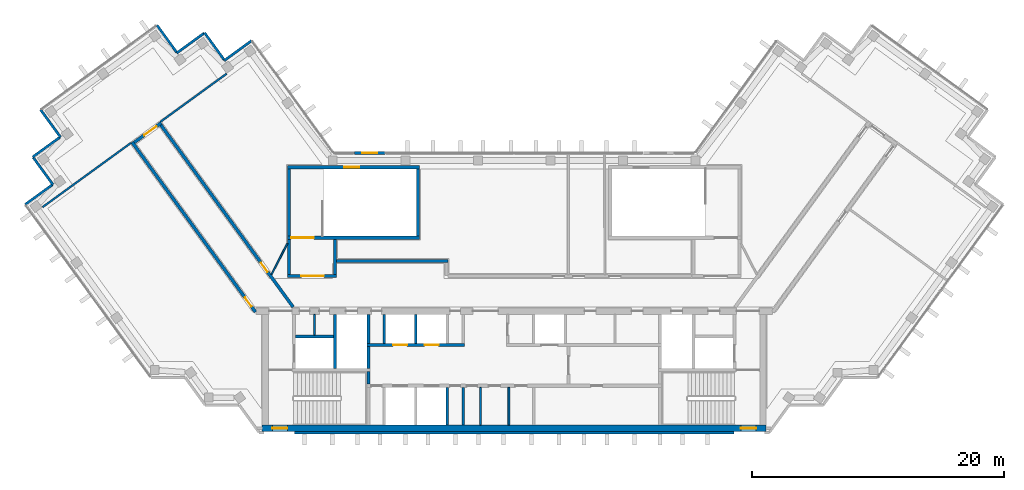
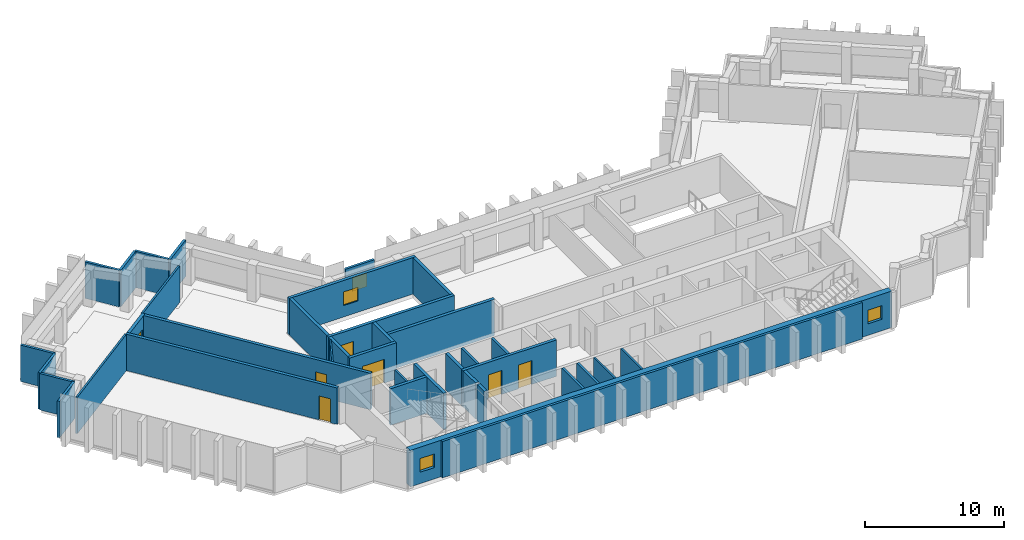
# One storey, part 4 of 8: 38 walls, 7 doors, 4 windows, 11 openings.
"""IFC4 building model written with IfcOpenShell, lengths in metres."""

from ifc_helpers import new_model, si_unit, direction, frame, frame_2d, origin, place, context, subcontext, project, spatial, rectangle, extrude, material, layer, layer_set, type_object, element, fill, save


model = new_model("IFC4")

# Units and contexts
model_context = context("Model", 3, precision=1e-05, world=origin(), true_north=direction((0.0, 1.0)))
body_context = subcontext(model_context, "Body", "Model", "MODEL_VIEW")
ifc_project = project(units=[si_unit("LENGTHUNIT", "METRE"), si_unit("AREAUNIT", "SQUARE_METRE"), si_unit("VOLUMEUNIT", "CUBIC_METRE"), si_unit("PLANEANGLEUNIT", "RADIAN"), si_unit("MASSUNIT", "GRAM", prefix="KILO")], contexts=[model_context])

# Site, building, storey
site_placement = place(None, origin())
site = spatial("IfcSite", under=ifc_project, at=site_placement, CompositionType="ELEMENT")
building_placement = place(site_placement, origin())
building = spatial("IfcBuilding", under=site, at=building_placement, Name="Quipu Civic Tower", CompositionType="ELEMENT")
storey_placement = place(building_placement, frame((0.0, 0.0, 351.0)))
storey = spatial("IfcBuildingStorey", under=building, at=storey_placement, Name="L82", CompositionType="ELEMENT", Elevation=351.0)

# Walls
ifc_material_1 = material(Name="Double gypsum plasterboard with mineral wool")
ifc_layer_1 = layer(ifc_material_1, 0.14990234375)
ifc_layer_set_1 = layer_set([ifc_layer_1], Name="Double gypsum plasterboard with mineral wool")
wall_type_1 = type_object("IfcWallType", Name="Acoustic partition 150 plasterboard", PredefinedType="PARTITIONING", material=ifc_layer_set_1)
wall_1_placement = place(storey_placement, frame((-22.818359375, 17.39599609375, 0.0), z_axis=(0.0, 0.0, 1.0), x_axis=(-0.809000932727, -0.587807358619, 0.0)))
element("IfcWall", 1, at=wall_1_placement, inside=storey, type_object=wall_type_1, Name="Partition P04", PredefinedType="PARTITIONING", context=body_context, shape_type="SweptSolid", body=[
    extrude(rectangle(XDim=6.49560546875, YDim=0.14990234375, at=frame_2d((3.247802734375, 0.0))), origin(), (0.0, 0.0, 1.0), 3.199951171875),
])
wall_2_placement = place(storey_placement, frame((-37.42919921875, 6.805419921875, 0.0), z_axis=(0.0, 0.0, 1.0), x_axis=(0.809020922653, 0.587779845444, 0.0)))
element("IfcWall", 2, at=wall_2_placement, inside=storey, type_object=wall_type_1, Name="Partition P05", PredefinedType="PARTITIONING", context=body_context, shape_type="SweptSolid", body=[
    extrude(rectangle(XDim=8.670166015625, YDim=0.14990234375, at=frame_2d((4.3349609375, 0.0))), origin(), (0.0, 0.0, 1.0), 3.199951171875),
])
ifc_material_2 = material(Name="Concrete C70/85", Category="concrete")
ifc_layer_2 = layer(ifc_material_2, 0.25)
ifc_layer_set_2 = layer_set([ifc_layer_2], Name="Concrete C70/85")
wall_type_2 = type_object("IfcWallType", Name="Core wall 250", PredefinedType="SHEAR", material=ifc_layer_set_2)
wall_3_placement = place(storey_placement, frame((-11.574951171875, -7.25, 0.0), z_axis=(0.0, 0.0, 1.0), x_axis=(0.0, 1.0, 0.0)))
element("IfcWall", 3, at=wall_3_placement, inside=storey, type_object=wall_type_2, Name="Core wall", PredefinedType="SHEAR", context=body_context, shape_type="SweptSolid", body=[
    extrude(rectangle(XDim=1.0, YDim=0.25, at=frame_2d((0.5, 0.0))), origin(), (0.0, 0.0, 1.0), 3.199951171875),
])
wall_4_placement = place(storey_placement, frame((-14.22509765625, -6.0, 0.0), z_axis=(0.0, 0.0, 1.0), x_axis=(0.0, 1.0, 0.0)))
element("IfcWall", 4, at=wall_4_placement, inside=storey, type_object=wall_type_2, Name="Core wall", PredefinedType="SHEAR", context=body_context, shape_type="SweptSolid", body=[
    extrude(rectangle(XDim=4.300048828125, YDim=0.25, at=frame_2d((2.14990234375, 0.0))), origin(), (0.0, 0.0, 1.0), 3.199951171875),
])
wall_5_placement = place(storey_placement, frame((-11.574951171875, -6.0, 0.0), z_axis=(0.0, 0.0, 1.0), x_axis=(0.0, 1.0, 0.0)))
element("IfcWall", 5, at=wall_5_placement, inside=storey, type_object=wall_type_2, Name="Core wall", PredefinedType="SHEAR", context=body_context, shape_type="SweptSolid", body=[
    extrude(rectangle(XDim=1.75, YDim=0.25, at=frame_2d((0.875, 0.0))), origin(), (0.0, 0.0, 1.0), 3.199951171875),
])

# Wall, openings, doors
wall_6_placement = place(storey_placement, frame((-11.699951171875, -4.125, 0.0), z_axis=(0.0, 0.0, 1.0), x_axis=(1.0, 0.0, 0.0)))
wall_6 = element("IfcWall", 6, at=wall_6_placement, inside=storey, type_object=wall_type_2, Name="Core wall", PredefinedType="SHEAR", context=body_context, shape_type="SweptSolid", body=[
    extrude(rectangle(XDim=7.75, YDim=0.25, at=frame_2d((3.875, 0.0))), origin(), (0.0, 0.0, 1.0), 3.199951171875),
])
opening_1_placement = place(wall_6_placement, frame((2.10009765625, 0.0, 0.0)))
opening_1 = element("IfcOpeningElement", 7, at=opening_1_placement, cuts=wall_6, Name="Opening LD-HL3", PredefinedType="OPENING", context=body_context, shape_type="SweptSolid", body=[
    extrude(rectangle(XDim=1.10009765625, YDim=2.10009765625, at=frame_2d((0.550048828125, 1.050048828125))), frame((0.0, 0.135009765625, 0.0), z_axis=(0.0, -1.0, 0.0), x_axis=(1.0, 0.0, 0.0)), (0.0, 0.0, 1.0), 0.27001953125),
])
opening_2_placement = place(wall_6_placement, frame((4.60009765625, 0.0, 0.0)))
opening_2 = element("IfcOpeningElement", 8, at=opening_2_placement, cuts=wall_6, Name="Opening LD-HL4", PredefinedType="OPENING", context=body_context, shape_type="SweptSolid", body=[
    extrude(rectangle(XDim=1.10009765625, YDim=2.10009765625, at=frame_2d((0.550048828125, 1.050048828125))), frame((0.0, 0.135009765625, 0.0), z_axis=(0.0, -1.0, 0.0), x_axis=(1.0, 0.0, 0.0)), (0.0, 0.0, 1.0), 0.27001953125),
])
ifc_material_3 = material(Name="Stainless steel", Category="steel")
door_type_1 = type_object("IfcDoorType", Name="Lift landing door 1100 x 2100", OperationType="DOUBLE_DOOR_SLIDING", PredefinedType="DOOR", material=ifc_material_3)
door_1_placement = place(opening_1_placement, origin())
door_1 = element("IfcDoor", 9, at=door_1_placement, inside=storey, type_object=door_type_1, Name="Landing door HL3", OperationType="DOUBLE_DOOR_SLIDING", OverallHeight=2.10009765625, OverallWidth=1.10009765625, PredefinedType="DOOR", context=body_context, shape_type="SweptSolid", body=[
    extrude(rectangle(XDim=1.10009765625, YDim=2.10009765625, at=frame_2d((0.550048828125, 1.050048828125))), frame((0.0, 0.02490234375, 0.0), z_axis=(0.0, -1.0, 0.0), x_axis=(1.0, 0.0, 0.0)), (0.0, 0.0, 1.0), 0.050048828125),
])
fill(opening_1, door_1)
door_2_placement = place(opening_2_placement, origin())
door_2 = element("IfcDoor", 10, at=door_2_placement, inside=storey, type_object=door_type_1, Name="Landing door HL4", OperationType="DOUBLE_DOOR_SLIDING", OverallHeight=2.10009765625, OverallWidth=1.10009765625, PredefinedType="DOOR", context=body_context, shape_type="SweptSolid", body=[
    extrude(rectangle(XDim=1.10009765625, YDim=2.10009765625, at=frame_2d((0.550048828125, 1.050048828125))), frame((0.0, 0.02490234375, 0.0), z_axis=(0.0, -1.0, 0.0), x_axis=(1.0, 0.0, 0.0)), (0.0, 0.0, 1.0), 0.050048828125),
])
fill(opening_2, door_2)

# Walls
wall_7_placement = place(storey_placement, frame((-11.574951171875, -4.0, 0.0), z_axis=(0.0, 0.0, 1.0), x_axis=(0.0, 1.0, 0.0)))
element("IfcWall", 11, at=wall_7_placement, inside=storey, type_object=wall_type_2, Name="Core wall", PredefinedType="SHEAR", context=body_context, shape_type="SweptSolid", body=[
    extrude(rectangle(XDim=2.300048828125, YDim=0.25, at=frame_2d((1.14990234375, 0.0))), origin(), (0.0, 0.0, 1.0), 3.199951171875),
])
wall_8_placement = place(storey_placement, frame((-17.35009765625, -3.47509765625, 0.0), z_axis=(0.0, 0.0, 1.0), x_axis=(1.0, 0.0, 0.0)))
element("IfcWall", 12, at=wall_8_placement, inside=storey, type_object=wall_type_2, Name="Core wall", PredefinedType="SHEAR", context=body_context, shape_type="SweptSolid", body=[
    extrude(rectangle(XDim=3.0, YDim=0.25, at=frame_2d((1.5, 0.0))), origin(), (0.0, 0.0, 1.0), 3.199951171875),
])

# Wall, opening, door
wall_9_placement = place(storey_placement, frame((-18.0, 1.324951171875, 0.0), z_axis=(0.0, 0.0, 1.0), x_axis=(1.0, 0.0, 0.0)))
wall_9 = element("IfcWall", 13, at=wall_9_placement, inside=storey, type_object=wall_type_2, Name="Core wall", PredefinedType="SHEAR", context=body_context, shape_type="SweptSolid", body=[
    extrude(rectangle(XDim=3.89990234375, YDim=0.25, at=frame_2d((1.949951171875, 0.0))), origin(), (0.0, 0.0, 1.0), 3.199951171875),
])
opening_3_placement = place(wall_9_placement, frame((1.10009765625, 0.0, 0.0)))
opening_3 = element("IfcOpeningElement", 14, at=opening_3_placement, cuts=wall_9, Name="Opening CD-23", PredefinedType="OPENING", context=body_context, shape_type="SweptSolid", body=[
    extrude(rectangle(XDim=1.800048828125, YDim=2.10009765625, at=frame_2d((0.89990234375, 1.050048828125))), frame((0.0, 0.135009765625, 0.0), z_axis=(0.0, -1.0, 0.0), x_axis=(1.0, 0.0, 0.0)), (0.0, 0.0, 1.0), 0.27001953125),
])
ifc_material_4 = material(Name="Fire rated steel door", Category="steel")
door_type_2 = type_object("IfcDoorType", Name="Fire door FD90 double 1800 x 2100", OperationType="NOTDEFINED", PredefinedType="DOOR", material=ifc_material_4)
door_3_placement = place(opening_3_placement, origin())
door_3 = element("IfcDoor", 15, at=door_3_placement, inside=storey, type_object=door_type_2, Name="Lobby door", OperationType="DOUBLE_DOOR_SINGLE_SWING", OverallHeight=2.10009765625, OverallWidth=1.800048828125, PredefinedType="DOOR", context=body_context, shape_type="SweptSolid", body=[
    extrude(rectangle(XDim=1.800048828125, YDim=2.10009765625, at=frame_2d((0.89990234375, 1.050048828125))), frame((0.0, 0.02490234375, 0.0), z_axis=(0.0, -1.0, 0.0), x_axis=(1.0, 0.0, 0.0)), (0.0, 0.0, 1.0), 0.050048828125),
])
fill(opening_3, door_3)

# Walls
for number, where, z_axis, x_axis, name in (
    (16, (-17.875, 1.449951171875, 0.0), (0.0, 0.0, 1.0), (0.0, 1.0, 0.0), "Core wall"),
    (17, (-14.22509765625, 1.449951171875, 0.0), (0.0, 0.0, 1.0), (0.0, 1.0, 0.0), "Core wall"),
):
    element("IfcWall", number, at=place(storey_placement, frame(where, z_axis=z_axis, x_axis=x_axis)), inside=storey, type_object=wall_type_2, Name=name, PredefinedType="SHEAR", context=body_context, shape_type="SweptSolid", body=[
        extrude(rectangle(XDim=2.800048828125, YDim=0.25, at=frame_2d((1.39990234375, 0.0))), origin(), (0.0, 0.0, 1.0), 3.199951171875),
    ])

# Wall, opening, door
wall_10_placement = place(storey_placement, frame((-18.0, 4.375, 0.0), z_axis=(0.0, 0.0, 1.0), x_axis=(1.0, 0.0, 0.0)))
wall_10 = element("IfcWall", 18, at=wall_10_placement, inside=storey, type_object=wall_type_2, Name="Core wall", PredefinedType="SHEAR", context=body_context, shape_type="SweptSolid", body=[
    extrude(rectangle(XDim=10.5, YDim=0.25, at=frame_2d((5.25, 0.0))), origin(), (0.0, 0.0, 1.0), 3.199951171875),
])
opening_4_placement = place(wall_10_placement, frame((0.300048828125, 0.0, 0.0)))
opening_4 = element("IfcOpeningElement", 19, at=opening_4_placement, cuts=wall_10, Name="Opening CD-24", PredefinedType="OPENING", context=body_context, shape_type="SweptSolid", body=[
    extrude(rectangle(XDim=1.800048828125, YDim=2.10009765625, at=frame_2d((0.89990234375, 1.050048828125))), frame((0.0, 0.135009765625, 0.0), z_axis=(0.0, -1.0, 0.0), x_axis=(1.0, 0.0, 0.0)), (0.0, 0.0, 1.0), 0.27001953125),
])
door_4_placement = place(opening_4_placement, origin())
door_4 = element("IfcDoor", 20, at=door_4_placement, inside=storey, type_object=door_type_2, Name="Door", OperationType="DOUBLE_DOOR_SINGLE_SWING", OverallHeight=2.10009765625, OverallWidth=1.800048828125, PredefinedType="DOOR", context=body_context, shape_type="SweptSolid", body=[
    extrude(rectangle(XDim=1.800048828125, YDim=2.10009765625, at=frame_2d((0.89990234375, 1.050048828125))), frame((0.0, 0.02490234375, 0.0), z_axis=(0.0, -1.0, 0.0), x_axis=(1.0, 0.0, 0.0)), (0.0, 0.0, 1.0), 0.050048828125),
])
fill(opening_4, door_4)

# Walls
for number, where, z_axis, x_axis, name in (
    (21, (-17.875, 4.5, 0.0), (0.0, 0.0, 1.0), (0.0, 1.0, 0.0), "Core wall"),
    (22, (-7.625, 4.5, 0.0), (0.0, 0.0, 1.0), (0.0, 1.0, 0.0), "Core wall"),
):
    element("IfcWall", number, at=place(storey_placement, frame(where, z_axis=z_axis, x_axis=x_axis)), inside=storey, type_object=wall_type_2, Name=name, PredefinedType="SHEAR", context=body_context, shape_type="SweptSolid", body=[
        extrude(rectangle(XDim=5.35009765625, YDim=0.25, at=frame_2d((2.675048828125, 0.0))), origin(), (0.0, 0.0, 1.0), 3.199951171875),
    ])

# Wall, opening, window
wall_11_placement = place(storey_placement, frame((-18.0, 9.97509765625, 0.0), z_axis=(0.0, 0.0, 1.0), x_axis=(1.0, 0.0, 0.0)))
wall_11 = element("IfcWall", 23, at=wall_11_placement, inside=storey, type_object=wall_type_2, Name="Core wall", PredefinedType="SHEAR", context=body_context, shape_type="SweptSolid", body=[
    extrude(rectangle(XDim=10.5, YDim=0.25, at=frame_2d((5.25, 0.0))), origin(), (0.0, 0.0, 1.0), 3.199951171875),
])
opening_5_placement = place(wall_11_placement, frame((4.5, 0.0, 1.0)))
opening_5 = element("IfcOpeningElement", 24, at=opening_5_placement, cuts=wall_11, Name="Opening SV-3", PredefinedType="OPENING", context=body_context, shape_type="SweptSolid", body=[
    extrude(rectangle(XDim=1.199951171875, YDim=1.199951171875, at=frame_2d((0.60009765625, 0.60009765625))), frame((0.0, 0.135009765625, 0.0), z_axis=(0.0, -1.0, 0.0), x_axis=(1.0, 0.0, 0.0)), (0.0, 0.0, 1.0), 0.27001953125),
])
ifc_material_5 = material(Name="Aluminium louvre", Category="aluminium")
window_type_1 = type_object("IfcWindowType", Name="Stair ventilation louvre 1200 x 1200", PartitioningType="SINGLE_PANEL", PredefinedType="WINDOW", material=ifc_material_5)
window_1_placement = place(opening_5_placement, origin())
window_1 = element("IfcWindow", 25, at=window_1_placement, inside=storey, type_object=window_type_1, Name="Stair ventilation opening", OverallHeight=1.199951171875, OverallWidth=1.199951171875, PartitioningType="SINGLE_PANEL", PredefinedType="WINDOW", context=body_context, shape_type="SweptSolid", body=[
    extrude(rectangle(XDim=1.199951171875, YDim=1.199951171875, at=frame_2d((0.60009765625, 0.60009765625))), frame((0.0, 0.030029296875, 0.0), z_axis=(0.0, -1.0, 0.0), x_axis=(1.0, 0.0, 0.0)), (0.0, 0.0, 1.0), 0.06005859375),
])
fill(opening_5, window_1)

# Wall, openings, windows
ifc_material_6 = material(Name="Concrete C70/85", Category="concrete")
ifc_layer_3 = layer(ifc_material_6, 0.5)
ifc_layer_set_3 = layer_set([ifc_layer_3], Name="Concrete C70/85")
wall_type_3 = type_object("IfcWallType", Name="Core wall 500", PredefinedType="SHEAR", material=ifc_layer_set_3)
wall_12_placement = place(storey_placement, frame((-20.0, -10.75, 0.0), z_axis=(0.0, 0.0, 1.0), x_axis=(1.0, 0.0, 0.0)))
wall_12 = element("IfcWall", 26, at=wall_12_placement, inside=storey, type_object=wall_type_3, Name="Core wall", PredefinedType="SHEAR", context=body_context, shape_type="SweptSolid", body=[
    extrude(rectangle(XDim=40.0, YDim=0.5, at=frame_2d((20.0, 0.0))), origin(), (0.0, 0.0, 1.0), 3.199951171875),
])
opening_6_placement = place(wall_12_placement, frame((0.800048828125, 0.0, 1.0)))
opening_6 = element("IfcOpeningElement", 27, at=opening_6_placement, cuts=wall_12, Name="Opening SV-1", PredefinedType="OPENING", context=body_context, shape_type="SweptSolid", body=[
    extrude(rectangle(XDim=1.199951171875, YDim=1.199951171875, at=frame_2d((0.60009765625, 0.60009765625))), frame((0.0, 0.260009765625, 0.0), z_axis=(0.0, -1.0, 0.0), x_axis=(1.0, 0.0, 0.0)), (0.0, 0.0, 1.0), 0.52001953125),
])
opening_7_placement = place(wall_12_placement, frame((38.0, 0.0, 1.0)))
opening_7 = element("IfcOpeningElement", 28, at=opening_7_placement, cuts=wall_12, Name="Opening SV-2", PredefinedType="OPENING", context=body_context, shape_type="SweptSolid", body=[
    extrude(rectangle(XDim=1.199951171875, YDim=1.199951171875, at=frame_2d((0.60009765625, 0.60009765625))), frame((0.0, 0.260009765625, 0.0), z_axis=(0.0, -1.0, 0.0), x_axis=(1.0, 0.0, 0.0)), (0.0, 0.0, 1.0), 0.52001953125),
])
window_2_placement = place(opening_6_placement, origin())
window_2 = element("IfcWindow", 29, at=window_2_placement, inside=storey, type_object=window_type_1, Name="Stair ventilation opening", OverallHeight=1.199951171875, OverallWidth=1.199951171875, PartitioningType="SINGLE_PANEL", PredefinedType="WINDOW", context=body_context, shape_type="SweptSolid", body=[
    extrude(rectangle(XDim=1.199951171875, YDim=1.199951171875, at=frame_2d((0.60009765625, 0.60009765625))), frame((0.0, 0.030029296875, 0.0), z_axis=(0.0, -1.0, 0.0), x_axis=(1.0, 0.0, 0.0)), (0.0, 0.0, 1.0), 0.06005859375),
])
fill(opening_6, window_2)
window_3_placement = place(opening_7_placement, origin())
window_3 = element("IfcWindow", 30, at=window_3_placement, inside=storey, type_object=window_type_1, Name="Stair ventilation opening", OverallHeight=1.199951171875, OverallWidth=1.199951171875, PartitioningType="SINGLE_PANEL", PredefinedType="WINDOW", context=body_context, shape_type="SweptSolid", body=[
    extrude(rectangle(XDim=1.199951171875, YDim=1.199951171875, at=frame_2d((0.60009765625, 0.60009765625))), frame((0.0, 0.030029296875, 0.0), z_axis=(0.0, -1.0, 0.0), x_axis=(1.0, 0.0, 0.0)), (0.0, 0.0, 1.0), 0.06005859375),
])
fill(opening_7, window_3)

# Wall, opening, door
ifc_material_7 = material(Name="Concrete C50/60", Category="concrete")
ifc_layer_4 = layer(ifc_material_7, 0.25)
ifc_layer_set_4 = layer_set([ifc_layer_4], Name="Concrete C50/60")
wall_type_4 = type_object("IfcWallType", Name="Corridor wall 250 concrete", PredefinedType="SOLIDWALL", material=ifc_layer_set_4)
wall_13_placement = place(storey_placement, frame((-20.531005859375, -1.5234375, 0.0), z_axis=(0.0, 0.0, 1.0), x_axis=(-0.587785867777, 0.809016547199, 0.0)))
wall_13 = element("IfcWall", 31, at=wall_13_placement, inside=storey, type_object=wall_type_4, Name="Corridor wall C04", PredefinedType="SOLIDWALL", context=body_context, shape_type="SweptSolid", body=[
    extrude(rectangle(XDim=16.67041015625, YDim=0.25, at=frame_2d((8.335205078125, 0.0))), origin(), (0.0, 0.0, 1.0), 3.199951171875),
])
opening_8_placement = place(wall_13_placement, frame((0.53271484375, 0.0, 0.0)))
opening_8 = element("IfcOpeningElement", 32, at=opening_8_placement, cuts=wall_13, Name="Opening D009", PredefinedType="OPENING", context=body_context, shape_type="SweptSolid", body=[
    extrude(rectangle(XDim=0.89990234375, YDim=2.10009765625, at=frame_2d((0.449951171875, 1.050048828125))), frame((0.0, 0.135009765625, 0.0), z_axis=(0.0, -1.0, 0.0), x_axis=(1.0, 0.0, 0.0)), (0.0, 0.0, 1.0), 0.27001953125),
])
ifc_material_8 = material(Name="Fire rated timber door set with metal frame", Category="wood")
door_type_3 = type_object("IfcDoorType", Name="Single door 900 x 2100 FD60", OperationType="NOTDEFINED", PredefinedType="DOOR", material=ifc_material_8)
door_5_placement = place(opening_8_placement, origin())
door_5 = element("IfcDoor", 33, at=door_5_placement, inside=storey, type_object=door_type_3, Name="Door D009", OperationType="SINGLE_SWING_LEFT", OverallHeight=2.10009765625, OverallWidth=0.89990234375, PredefinedType="DOOR", context=body_context, shape_type="SweptSolid", body=[
    extrude(rectangle(XDim=0.89990234375, YDim=2.10009765625, at=frame_2d((0.449951171875, 1.050048828125))), frame((0.0, 0.02490234375, 0.0), z_axis=(0.0, -1.0, 0.0), x_axis=(1.0, 0.0, 0.0)), (0.0, 0.0, 1.0), 0.050048828125),
])
fill(opening_8, door_5)

wall_14_placement = place(storey_placement, frame((-30.155029296875, 11.935546875, 0.0), z_axis=(0.0, 0.0, 1.0), x_axis=(0.809038743598, 0.587755315891, 0.0)))
wall_14 = element("IfcWall", 34, at=wall_14_placement, inside=storey, type_object=wall_type_4, Name="Corridor wall C05", PredefinedType="SOLIDWALL", context=body_context, shape_type="SweptSolid", body=[
    extrude(rectangle(XDim=2.650146484375, YDim=0.25, at=frame_2d((1.3251953125, 0.0))), origin(), (0.0, 0.0, 1.0), 3.199951171875),
])
opening_9_placement = place(wall_14_placement, frame((0.9755859375, 0.0, 0.0)))
opening_9 = element("IfcOpeningElement", 35, at=opening_9_placement, cuts=wall_14, Name="Opening D010", PredefinedType="OPENING", context=body_context, shape_type="SweptSolid", body=[
    extrude(rectangle(XDim=1.199951171875, YDim=2.10009765625, at=frame_2d((0.60009765625, 1.050048828125))), frame((0.0, 0.135009765625, 0.0), z_axis=(0.0, -1.0, 0.0), x_axis=(1.0, 0.0, 0.0)), (0.0, 0.0, 1.0), 0.27001953125),
])
ifc_material_9 = material(Name="Fire rated timber door set with metal frame", Category="wood")
door_type_4 = type_object("IfcDoorType", Name="Single door 1200 x 2100 FD60", OperationType="NOTDEFINED", PredefinedType="DOOR", material=ifc_material_9)
door_6_placement = place(opening_9_placement, origin())
door_6 = element("IfcDoor", 36, at=door_6_placement, inside=storey, type_object=door_type_4, Name="Door D010", OperationType="SINGLE_SWING_RIGHT", OverallHeight=2.10009765625, OverallWidth=1.199951171875, PredefinedType="DOOR", context=body_context, shape_type="SweptSolid", body=[
    extrude(rectangle(XDim=1.199951171875, YDim=2.10009765625, at=frame_2d((0.60009765625, 1.050048828125))), frame((0.0, 0.02490234375, 0.0), z_axis=(0.0, -1.0, 0.0), x_axis=(1.0, 0.0, 0.0)), (0.0, 0.0, 1.0), 0.050048828125),
])
fill(opening_9, door_6)

wall_15_placement = place(storey_placement, frame((-28.038818359375, 13.318603515625, 0.0), z_axis=(0.0, 0.0, 1.0), x_axis=(0.587791911753, -0.809012155952, 0.0)))
wall_15 = element("IfcWall", 37, at=wall_15_placement, inside=storey, type_object=wall_type_4, Name="Corridor wall C06", PredefinedType="SOLIDWALL", context=body_context, shape_type="SweptSolid", body=[
    extrude(rectangle(XDim=17.85302734375, YDim=0.25, at=frame_2d((8.926513671875, 0.0))), origin(), (0.0, 0.0, 1.0), 3.199951171875),
])
opening_10_placement = place(wall_15_placement, frame((13.51171875, 0.0, 0.0)))
opening_10 = element("IfcOpeningElement", 38, at=opening_10_placement, cuts=wall_15, Name="Opening D008", PredefinedType="OPENING", context=body_context, shape_type="SweptSolid", body=[
    extrude(rectangle(XDim=0.89990234375, YDim=2.10009765625, at=frame_2d((0.449951171875, 1.050048828125))), frame((0.0, 0.135009765625, 0.0), z_axis=(0.0, -1.0, 0.0), x_axis=(1.0, 0.0, 0.0)), (0.0, 0.0, 1.0), 0.27001953125),
])
door_7_placement = place(opening_10_placement, origin())
door_7 = element("IfcDoor", 39, at=door_7_placement, inside=storey, type_object=door_type_3, Name="Door D008", OperationType="SINGLE_SWING_RIGHT", OverallHeight=2.10009765625, OverallWidth=0.89990234375, PredefinedType="DOOR", context=body_context, shape_type="SweptSolid", body=[
    extrude(rectangle(XDim=0.89990234375, YDim=2.10009765625, at=frame_2d((0.449951171875, 1.050048828125))), frame((0.0, 0.02490234375, 0.0), z_axis=(0.0, -1.0, 0.0), x_axis=(1.0, 0.0, 0.0)), (0.0, 0.0, 1.0), 0.050048828125),
])
fill(opening_10, door_7)

# Walls
wall_16_placement = place(storey_placement, frame((-14.090087890625, 2.52490234375, 0.0), z_axis=(0.0, 0.0, 1.0), x_axis=(1.0, 0.0, 0.0)))
element("IfcWall", 40, at=wall_16_placement, inside=storey, type_object=wall_type_4, Name="Corridor wall C07", PredefinedType="SOLIDWALL", context=body_context, shape_type="SweptSolid", body=[
    extrude(rectangle(XDim=8.840087890625, YDim=0.25, at=frame_2d((4.419921875, 0.0))), origin(), (0.0, 0.0, 1.0), 3.199951171875),
])
ifc_material_10 = material(Name="Gypsum plasterboard on light gauge framing")
ifc_layer_5 = layer(ifc_material_10, 0.1201171875)
ifc_layer_set_5 = layer_set([ifc_layer_5], Name="Gypsum plasterboard on light gauge framing")
wall_type_5 = type_object("IfcWallType", Name="Partition 120 plasterboard", PredefinedType="PARTITIONING", material=ifc_layer_set_5)
wall_17_placement = place(storey_placement, frame((-19.260986328125, 1.449951171875, 0.0), z_axis=(0.0, 0.0, 1.0), x_axis=(0.453950796792, 0.891026752736, 0.0)))
element("IfcWall", 41, at=wall_17_placement, inside=storey, type_object=wall_type_5, Name="Partition P09", PredefinedType="PARTITIONING", context=body_context, shape_type="SweptSolid", body=[
    extrude(rectangle(XDim=2.77783203125, YDim=0.1201171875, at=frame_2d((1.388916015625, 0.0))), origin(), (0.0, 0.0, 1.0), 3.199951171875),
])
ifc_material_11 = material(Name="Gypsum board partition")
ifc_layer_6 = layer(ifc_material_11, 0.14990234375)
ifc_layer_set_6 = layer_set([ifc_layer_6], Name="Gypsum board partition")
wall_type_6 = type_object("IfcWallType", Name="Partition 150", PredefinedType="PARTITIONING", material=ifc_layer_set_6)
for number, where, z_axis, x_axis, name in (
    (42, (-2.675048828125, -10.5, 0.0), (0.0, 0.0, 1.0), (0.0, 1.0, 0.0), "Partition"),
    (43, (-0.425048828125, -10.5, 0.0), (0.0, 0.0, 1.0), (0.0, 1.0, 0.0), "Partition"),
):
    element("IfcWall", number, at=place(storey_placement, frame(where, z_axis=z_axis, x_axis=x_axis)), inside=storey, type_object=wall_type_6, Name=name, PredefinedType="PARTITIONING", context=body_context, shape_type="SweptSolid", body=[
        extrude(rectangle(XDim=3.0, YDim=0.14990234375, at=frame_2d((1.5, 0.0))), origin(), (0.0, 0.0, 1.0), 3.199951171875),
    ])
wall_18_placement = place(storey_placement, frame((-15.85009765625, -3.35009765625, 0.0), z_axis=(0.0, 0.0, 1.0), x_axis=(0.0, 1.0, 0.0)))
element("IfcWall", 44, at=wall_18_placement, inside=storey, type_object=wall_type_6, Name="Partition", PredefinedType="PARTITIONING", context=body_context, shape_type="SweptSolid", body=[
    extrude(rectangle(XDim=1.650146484375, YDim=0.14990234375, at=frame_2d((0.8251953125, 0.0))), origin(), (0.0, 0.0, 1.0), 3.199951171875),
])
ifc_material_12 = material(Name="Precast concrete C40/50", Category="concrete")
wall_type_7 = type_object("IfcWallType", Name="Precast cladding wall", PredefinedType="SOLIDWALL", material=ifc_material_12)
for number, where, z_axis, x_axis, name in (
    (45, (-20.828857421875, 20.025390625, 0.0), (0.0, 0.0, 1.0), (-0.808990163075, -0.587822180636, 0.0), "Precast cladding wall L82 P02"),
    (46, (-22.996337890625, 18.465576171875, 0.0), (0.0, 0.0, 1.0), (-0.587762999008, 0.809033161865, 0.0), "Precast cladding wall L82 P03"),
):
    element("IfcWall", number, at=place(storey_placement, frame(where, z_axis=z_axis, x_axis=x_axis)), inside=storey, type_object=wall_type_7, Name=name, PredefinedType="SOLIDWALL", context=body_context, shape_type="SweptSolid", body=[
        extrude(rectangle(XDim=2.699951171875, YDim=0.199951171875, at=frame_2d((1.35009765625, 0.0))), origin(), (0.0, 0.0, 1.0), 3.199951171875),
    ])
for number, where, z_axis, x_axis, name in (
    (47, (-24.60009765625, 20.62255859375, 0.0), (0.0, 0.0, 1.0), (-0.809064397168, -0.587720002413, 0.0), "Precast cladding wall L82 P04"),
    (48, (-26.767578125, 19.062744140625, 0.0), (0.0, 0.0, 1.0), (-0.587720002413, 0.809064397168, 0.0), "Precast cladding wall L82 P05"),
):
    element("IfcWall", number, at=place(storey_placement, frame(where, z_axis=z_axis, x_axis=x_axis)), inside=storey, type_object=wall_type_7, Name=name, PredefinedType="SOLIDWALL", context=body_context, shape_type="SweptSolid", body=[
        extrude(rectangle(XDim=2.7001953125, YDim=0.199951171875, at=frame_2d((1.35009765625, 0.0))), origin(), (0.0, 0.0, 1.0), 3.199951171875),
    ])
for number, where, z_axis, x_axis, name in (
    (49, (-37.591796875, 14.535888671875, 0.0), (0.0, 0.0, 1.0), (0.587762999008, -0.809033161865, 0.0), "Precast cladding wall L82 P07"),
    (50, (-36.031982421875, 12.36865234375, 0.0), (0.0, 0.0, 1.0), (-0.809033161865, -0.587762999008, 0.0), "Precast cladding wall L82 P08"),
    (51, (-38.189208984375, 10.7646484375, 0.0), (0.0, 0.0, 1.0), (0.587822180636, -0.808990163075, 0.0), "Precast cladding wall L82 P09"),
    (52, (-36.62939453125, 8.597412109375, 0.0), (0.0, 0.0, 1.0), (-0.809033161865, -0.587762999008, 0.0), "Precast cladding wall L82 P10"),
):
    element("IfcWall", number, at=place(storey_placement, frame(where, z_axis=z_axis, x_axis=x_axis)), inside=storey, type_object=wall_type_7, Name=name, PredefinedType="SOLIDWALL", context=body_context, shape_type="SweptSolid", body=[
        extrude(rectangle(XDim=2.699951171875, YDim=0.199951171875, at=frame_2d((1.35009765625, 0.0))), origin(), (0.0, 0.0, 1.0), 3.199951171875),
    ])
wall_19_placement = place(storey_placement, frame((-17.44384765625, -11.087890625, 0.0), z_axis=(0.0, 0.0, 1.0), x_axis=(1.0, 0.0, 0.0)))
element("IfcWall", 53, at=wall_19_placement, inside=storey, type_object=wall_type_7, Name="Precast cladding wall L82 P17", PredefinedType="SOLIDWALL", context=body_context, shape_type="SweptSolid", body=[
    extrude(rectangle(XDim=34.8876953125, YDim=0.199951171875, at=frame_2d((17.44384765625, 0.0))), origin(), (0.0, 0.0, 1.0), 3.199951171875),
])

# Wall, opening, window
wall_20_placement = place(storey_placement, frame((-10.263427734375, 11.10009765625, 0.0), z_axis=(0.0, 0.0, 1.0), x_axis=(-1.0, 0.0, 0.0)))
wall_20 = element("IfcWall", 54, at=wall_20_placement, inside=storey, type_object=wall_type_7, Name="Vent surround SF-L80-1", PredefinedType="SOLIDWALL", context=body_context, shape_type="SweptSolid", body=[
    extrude(rectangle(XDim=2.3916015625, YDim=0.199951171875, at=frame_2d((1.19580078125, 0.0))), origin(), (0.0, 0.0, 1.0), 3.199951171875),
])
opening_11_placement = place(wall_20_placement, frame((0.595703125, 0.0, 1.0)))
opening_11 = element("IfcOpeningElement", 55, at=opening_11_placement, cuts=wall_20, Name="Opening SF-L80-1", PredefinedType="OPENING", context=body_context, shape_type="SweptSolid", body=[
    extrude(rectangle(XDim=1.199951171875, YDim=1.199951171875, at=frame_2d((0.60009765625, 0.60009765625))), frame((0.0, 0.10986328125, 0.0), z_axis=(0.0, -1.0, 0.0), x_axis=(1.0, 0.0, 0.0)), (0.0, 0.0, 1.0), 0.219970703125),
])
ifc_material_13 = material(Name="Anodised aluminium louvre", Category="aluminium")
window_type_2 = type_object("IfcWindowType", Name="Stair vent louvre window P3", PartitioningType="SINGLE_PANEL", PredefinedType="WINDOW", material=ifc_material_13)
window_4_placement = place(opening_11_placement, origin())
window_4 = element("IfcWindow", 56, at=window_4_placement, inside=storey, type_object=window_type_2, Name="Stair vent louvre SF-L80-1", OverallHeight=1.199951171875, OverallWidth=1.199951171875, PartitioningType="SINGLE_PANEL", PredefinedType="WINDOW", context=body_context, shape_type="SweptSolid", body=[
    extrude(rectangle(XDim=1.199951171875, YDim=1.199951171875, at=frame_2d((0.60009765625, 0.60009765625))), frame((0.0, 0.030029296875, 0.0), z_axis=(0.0, -1.0, 0.0), x_axis=(1.0, 0.0, 0.0)), (0.0, 0.0, 1.0), 0.06005859375),
])
fill(opening_11, window_4)

# Walls
ifc_material_14 = material(Name="Concrete C40/50", Category="concrete")
ifc_layer_7 = layer(ifc_material_14, 0.199951171875)
ifc_layer_set_7 = layer_set([ifc_layer_7], Name="Concrete C40/50")
wall_type_8 = type_object("IfcWallType", Name="Shaft wall 200", PredefinedType="SOLIDWALL", material=ifc_layer_set_7)
for number, where, z_axis, x_axis, name in (
    (57, (-5.300048828125, -10.5, 0.0), (0.0, 0.0, 1.0), (0.0, 1.0, 0.0), "Shaft wall"),
    (58, (-4.050048828125, -10.5, 0.0), (0.0, 0.0, 1.0), (0.0, 1.0, 0.0), "Shaft wall"),
):
    element("IfcWall", number, at=place(storey_placement, frame(where, z_axis=z_axis, x_axis=x_axis)), inside=storey, type_object=wall_type_8, Name=name, PredefinedType="SOLIDWALL", context=body_context, shape_type="SweptSolid", body=[
        extrude(rectangle(XDim=3.0, YDim=0.199951171875, at=frame_2d((1.5, 0.0))), origin(), (0.0, 0.0, 1.0), 3.199951171875),
    ])
for number, where, z_axis, x_axis, name in (
    (59, (-10.300048828125, -4.0, 0.0), (0.0, 0.0, 1.0), (0.0, 1.0, 0.0), "Shaft wall"),
    (60, (-7.800048828125, -4.0, 0.0), (0.0, 0.0, 1.0), (0.0, 1.0, 0.0), "Shaft wall"),
):
    element("IfcWall", number, at=place(storey_placement, frame(where, z_axis=z_axis, x_axis=x_axis)), inside=storey, type_object=wall_type_8, Name=name, PredefinedType="SOLIDWALL", context=body_context, shape_type="SweptSolid", body=[
        extrude(rectangle(XDim=2.300048828125, YDim=0.199951171875, at=frame_2d((1.14990234375, 0.0))), origin(), (0.0, 0.0, 1.0), 3.199951171875),
    ])

save(model, "model.ifc")
